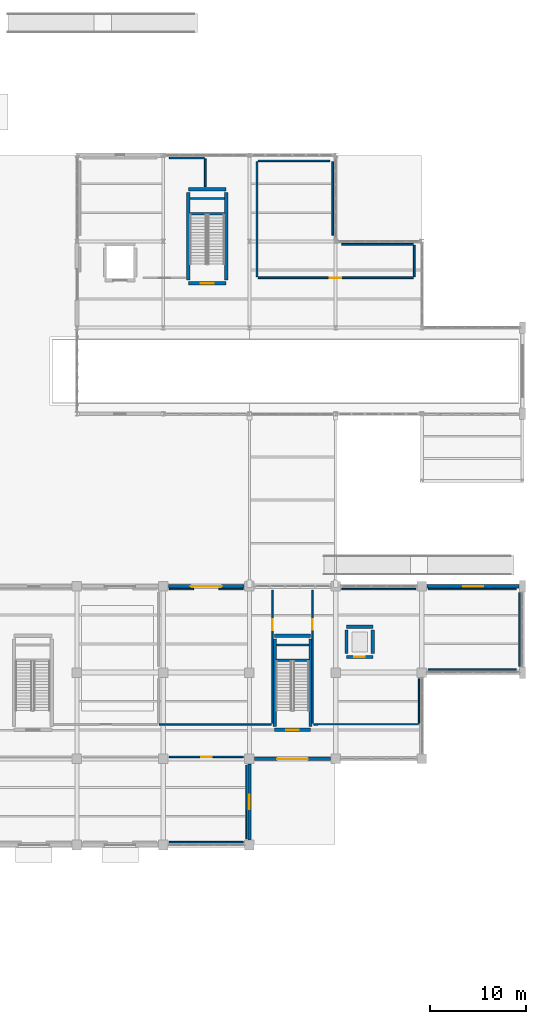
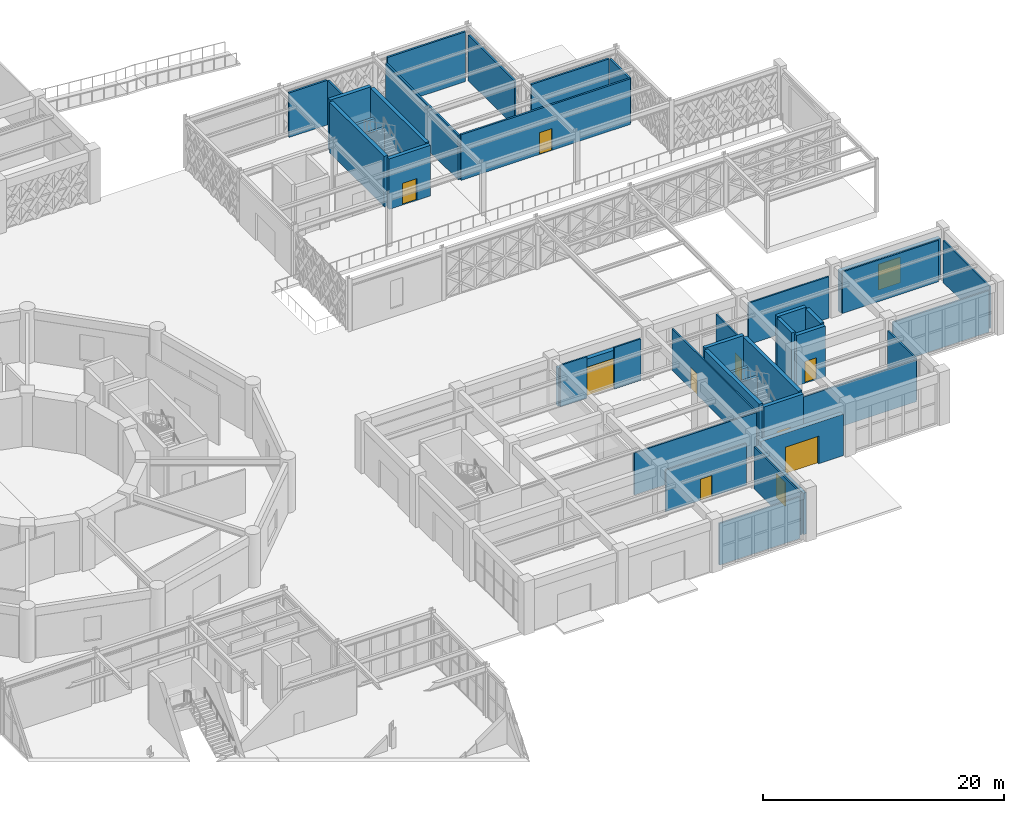
# One storey, part 121 of 140: 42 walls, 9 doors, 2 windows, 11 openings.
"""IFC4 building model written with IfcOpenShell, lengths in metres."""

from ifc_helpers import new_model, si_unit, direction, frame, frame_2d, origin, place, context, subcontext, project, spatial, rectangle, extrude, material, layer, layer_set, type_object, element, fill, save


model = new_model("IFC4")

# Units and contexts
model_context = context("Model", 3, precision=1e-05, world=origin(), true_north=direction((0.0, 1.0)))
body_context = subcontext(model_context, "Body", "Model", "MODEL_VIEW")
ifc_project = project(units=[si_unit("LENGTHUNIT", "METRE"), si_unit("AREAUNIT", "SQUARE_METRE"), si_unit("VOLUMEUNIT", "CUBIC_METRE"), si_unit("PLANEANGLEUNIT", "RADIAN"), si_unit("MASSUNIT", "GRAM", prefix="KILO")], contexts=[model_context])

# Site, building, storey
site_placement = place(None, origin())
site = spatial("IfcSite", under=ifc_project, at=site_placement, CompositionType="ELEMENT")
building_placement = place(site_placement, origin())
building = spatial("IfcBuilding", under=site, at=building_placement, Name="Haizhuo Lancet Aquarium", CompositionType="ELEMENT")
storey_placement = place(building_placement, origin())
storey = spatial("IfcBuildingStorey", under=building, at=storey_placement, Name="L00", CompositionType="ELEMENT", Elevation=0.0)

# Wall, opening, window
ifc_material_1 = material(Name="Shandong Grey Limestone Ashlar", Category="masonry")
ifc_layer_1 = layer(ifc_material_1, 0.280029296875)
ifc_layer_set_1 = layer_set([ifc_layer_1], Name="Shandong Grey Limestone Ashlar")
wall_type_1 = type_object("IfcWallType", Name="EWL-ASH-280", PredefinedType="SOLIDWALL", material=ifc_layer_set_1)
wall_1_placement = place(storey_placement, frame((54.0, -27.544921875, 0.0), z_axis=(0.0, 0.0, 1.0), x_axis=(0.0, -1.0, 0.0)))
wall_1 = element("IfcWall", 1, at=wall_1_placement, inside=storey, type_object=wall_type_1, Name="L00 V3 limestone facade wall 65", PredefinedType="SOLIDWALL", context=body_context, shape_type="SweptSolid", body=[
    extrude(rectangle(XDim=7.91015625, YDim=0.280029296875, at=frame_2d((3.955078125, 0.0))), origin(), (0.0, 0.0, 1.0), 4.205078125),
])
opening_1_placement = place(wall_1_placement, frame((3.205078125, 0.0, 0.89990234375)))
opening_1 = element("IfcOpeningElement", 2, at=opening_1_placement, cuts=wall_1, Name="Opening WN-04", PredefinedType="OPENING", context=body_context, shape_type="SweptSolid", body=[
    extrude(rectangle(XDim=1.5, YDim=2.39990234375, at=frame_2d((0.75, 1.199951171875))), frame((0.0, 0.14990234375, 0.0), z_axis=(0.0, -1.0, 0.0), x_axis=(1.0, 0.0, 0.0)), (0.0, 0.0, 1.0), 0.300029),
])
ifc_material_2 = material(Name="Laminated Low-E Glass", Category="glass")
window_type_1 = type_object("IfcWindowType", Name="WIN-LAN-1500x2400", PartitioningType="SINGLE_PANEL", PredefinedType="WINDOW", material=ifc_material_2)
window_1_placement = place(opening_1_placement, origin())
window_1 = element("IfcWindow", 3, at=window_1_placement, inside=storey, type_object=window_type_1, Name="L00 V3 lancet window 54", OverallHeight=2.39990234375, OverallWidth=1.5, PartitioningType="SINGLE_PANEL", PredefinedType="WINDOW", context=body_context, shape_type="SweptSolid", body=[
    extrude(rectangle(XDim=1.5, YDim=2.39990234375, at=frame_2d((0.75, 1.199951171875))), frame((0.0, 0.030029296875, 0.0), z_axis=(0.0, -1.0, 0.0), x_axis=(1.0, 0.0, 0.0)), (0.0, 0.0, 1.0), 0.06005859375),
])
fill(opening_1, window_1)

ifc_layer_2 = layer(ifc_material_1, 0.360107421875)
ifc_layer_set_2 = layer_set([ifc_layer_2], Name="Shandong Grey Limestone Ashlar")
wall_type_2 = type_object("IfcWallType", Name="EWL-ASH-360", PredefinedType="SOLIDWALL", material=ifc_layer_set_2)
wall_2_placement = place(storey_placement, frame((72.544921875, -9.0, 0.0), z_axis=(0.0, 0.0, 1.0), x_axis=(1.0, 0.0, 0.0)))
wall_2 = element("IfcWall", 4, at=wall_2_placement, inside=storey, type_object=wall_type_2, Name="L00 V3 limestone facade wall 63", PredefinedType="SOLIDWALL", context=body_context, shape_type="SweptSolid", body=[
    extrude(rectangle(XDim=9.610107421875, YDim=0.360107421875, at=frame_2d((4.80517578125, 0.0))), origin(), (0.0, 0.0, 1.0), 4.205078125),
])
opening_2_placement = place(wall_2_placement, frame((3.7548828125, 0.0, 0.89990234375)))
opening_2 = element("IfcOpeningElement", 5, at=opening_2_placement, cuts=wall_2, Name="Opening WN-07", PredefinedType="OPENING", context=body_context, shape_type="SweptSolid", body=[
    extrude(rectangle(XDim=2.10009765625, YDim=2.60009765625, at=frame_2d((1.050048828125, 1.300048828125))), frame((0.0, 0.18994140625, 0.0), z_axis=(0.0, -1.0, 0.0), x_axis=(1.0, 0.0, 0.0)), (0.0, 0.0, 1.0), 0.380107),
])
window_type_2 = type_object("IfcWindowType", Name="WIN-LAN-2100x2600", PartitioningType="SINGLE_PANEL", PredefinedType="WINDOW", material=ifc_material_2)
window_2_placement = place(opening_2_placement, origin())
window_2 = element("IfcWindow", 6, at=window_2_placement, inside=storey, type_object=window_type_2, Name="L00 V3 lancet window 53", OverallHeight=2.60009765625, OverallWidth=2.10009765625, PartitioningType="SINGLE_PANEL", PredefinedType="WINDOW", context=body_context, shape_type="SweptSolid", body=[
    extrude(rectangle(XDim=2.10009765625, YDim=2.60009765625, at=frame_2d((1.050048828125, 1.300048828125))), frame((0.0, 0.030029296875, 0.0), z_axis=(0.0, -1.0, 0.0), x_axis=(1.0, 0.0, 0.0)), (0.0, 0.0, 1.0), 0.06005859375),
])
fill(opening_2, window_2)

# Wall, opening, door
ifc_layer_3 = layer(ifc_material_1, 0.39990234375)
ifc_layer_set_3 = layer_set([ifc_layer_3], Name="Shandong Grey Limestone Ashlar")
wall_type_3 = type_object("IfcWallType", Name="EWL-ASH-400", PredefinedType="SOLIDWALL", material=ifc_layer_set_3)
wall_3_placement = place(storey_placement, frame((45.544921875, -9.0, 0.0), z_axis=(0.0, 0.0, 1.0), x_axis=(1.0, 0.0, 0.0)))
wall_3 = element("IfcWall", 7, at=wall_3_placement, inside=storey, type_object=wall_type_3, Name="L00 V3 pointed-arch limestone entrance portal wall", PredefinedType="SOLIDWALL", context=body_context, shape_type="SweptSolid", body=[
    extrude(rectangle(XDim=7.91015625, YDim=0.39990234375, at=frame_2d((3.955078125, 0.0))), origin(), (0.0, 0.0, 1.0), 3.81494140625),
])
opening_3_placement = place(wall_3_placement, frame((2.35498046875, 0.0, 0.0)))
opening_3 = element("IfcOpeningElement", 8, at=opening_3_placement, cuts=wall_3, Name="Opening ED-A", PredefinedType="OPENING", context=body_context, shape_type="SweptSolid", body=[
    extrude(rectangle(XDim=3.199951171875, YDim=3.0, at=frame_2d((1.60009765625, 1.5))), frame((0.0, 0.2099609375, 0.0), z_axis=(0.0, -1.0, 0.0), x_axis=(1.0, 0.0, 0.0)), (0.0, 0.0, 1.0), 0.419902),
])
ifc_material_3 = material(Name="Aluminium 6063-T6", Category="aluminium")
door_type_1 = type_object("IfcDoorType", Name="EDR-PORTAL-3200x3000", OperationType="NOTDEFINED", PredefinedType="DOOR", material=ifc_material_3)
door_1_placement = place(opening_3_placement, origin())
door_1 = element("IfcDoor", 9, at=door_1_placement, inside=storey, type_object=door_type_1, Name="Ground pedestrian entrance portal ED-09", OperationType="DOUBLE_DOOR_SINGLE_SWING", OverallHeight=3.0, OverallWidth=3.199951171875, PredefinedType="DOOR", context=body_context, shape_type="SweptSolid", body=[
    extrude(rectangle(XDim=3.199951171875, YDim=3.0, at=frame_2d((1.60009765625, 1.5))), frame((0.0, 0.02490234375, 0.0), z_axis=(0.0, -1.0, 0.0), x_axis=(1.0, 0.0, 0.0)), (0.0, 0.0, 1.0), 0.050048828125),
])
fill(opening_3, door_1)

wall_4_placement = place(storey_placement, frame((62.455078125, -27.0, 0.0), z_axis=(0.0, 0.0, 1.0), x_axis=(-1.0, 0.0, 0.0)))
wall_4 = element("IfcWall", 10, at=wall_4_placement, inside=storey, type_object=wall_type_3, Name="L00 V3 pointed-arch limestone entrance portal wall", PredefinedType="SOLIDWALL", context=body_context, shape_type="SweptSolid", body=[
    extrude(rectangle(XDim=7.91015625, YDim=0.39990234375, at=frame_2d((3.955078125, 0.0))), origin(), (0.0, 0.0, 1.0), 4.205078125),
])
opening_4_placement = place(wall_4_placement, frame((2.35498046875, 0.0, 0.0)))
opening_4 = element("IfcOpeningElement", 11, at=opening_4_placement, cuts=wall_4, Name="Opening ED-B", PredefinedType="OPENING", context=body_context, shape_type="SweptSolid", body=[
    extrude(rectangle(XDim=3.199951171875, YDim=2.800048828125, at=frame_2d((1.60009765625, 1.39990234375))), frame((0.0, 0.2099609375, 0.0), z_axis=(0.0, -1.0, 0.0), x_axis=(1.0, 0.0, 0.0)), (0.0, 0.0, 1.0), 0.419902),
])
door_type_2 = type_object("IfcDoorType", Name="EDR-PORTAL-3200x2800", OperationType="NOTDEFINED", PredefinedType="DOOR", material=ifc_material_3)
door_2_placement = place(opening_4_placement, origin())
door_2 = element("IfcDoor", 12, at=door_2_placement, inside=storey, type_object=door_type_2, Name="Ground pedestrian entrance portal ED-10", OperationType="DOUBLE_DOOR_SINGLE_SWING", OverallHeight=2.800048828125, OverallWidth=3.199951171875, PredefinedType="DOOR", context=body_context, shape_type="SweptSolid", body=[
    extrude(rectangle(XDim=3.199951171875, YDim=2.800048828125, at=frame_2d((1.60009765625, 1.39990234375))), frame((0.0, 0.02490234375, 0.0), z_axis=(0.0, -1.0, 0.0), x_axis=(1.0, 0.0, 0.0)), (0.0, 0.0, 1.0), 0.050048828125),
])
fill(opening_4, door_2)

# Walls
ifc_material_4 = material(Name="Concrete C40/50", Category="concrete")
ifc_layer_4 = layer(ifc_material_4, 0.179931640625)
ifc_layer_set_4 = layer_set([ifc_layer_4], Name="Concrete C40/50")
wall_type_4 = type_object("IfcWallType", Name="IWL-LAB-180", PredefinedType="PARTITIONING", material=ifc_layer_set_4)
wall_5_placement = place(storey_placement, frame((62.699951171875, 27.64990234375, 0.0), z_axis=(0.0, 0.0, 1.0), x_axis=(0.0, 1.0, 0.0)))
element("IfcWall", 13, at=wall_5_placement, inside=storey, type_object=wall_type_4, Name="L00 partition wall 193", PredefinedType="PARTITIONING", context=body_context, shape_type="SweptSolid", body=[
    extrude(rectangle(XDim=7.650146484375, YDim=0.179931640625, at=frame_2d((3.8251953125, 0.0))), origin(), (0.0, 0.0, 1.0), 4.616943359375),
])
wall_6_placement = place(storey_placement, frame((62.37109375, 35.39990234375, 0.0), z_axis=(0.0, 0.0, 1.0), x_axis=(-1.0, 0.0, 0.0)))
element("IfcWall", 14, at=wall_6_placement, inside=storey, type_object=wall_type_4, Name="L00 partition wall 194", PredefinedType="PARTITIONING", context=body_context, shape_type="SweptSolid", body=[
    extrude(rectangle(XDim=7.47119140625, YDim=0.179931640625, at=frame_2d((3.735595703125, 0.0))), origin(), (0.0, 0.0, 1.0), 5.050048828125),
])
wall_7_placement = place(storey_placement, frame((54.800048828125, 35.300048828125, 0.0), z_axis=(0.0, 0.0, 1.0), x_axis=(0.0, -1.0, 0.0)))
element("IfcWall", 15, at=wall_7_placement, inside=storey, type_object=wall_type_4, Name="L00 partition wall 195", PredefinedType="PARTITIONING", context=body_context, shape_type="SweptSolid", body=[
    extrude(rectangle(XDim=12.0, YDim=0.179931640625, at=frame_2d((6.0, 0.0))), origin(), (0.0, 0.0, 1.0), 4.51708984375),
])

# Wall, opening, door
wall_8_placement = place(storey_placement, frame((54.89990234375, 23.199951171875, 0.0), z_axis=(0.0, 0.0, 1.0), x_axis=(1.0, 0.0, 0.0)))
wall_8 = element("IfcWall", 16, at=wall_8_placement, inside=storey, type_object=wall_type_4, Name="L00 partition wall 196", PredefinedType="PARTITIONING", context=body_context, shape_type="SweptSolid", body=[
    extrude(rectangle(XDim=16.2001953125, YDim=0.179931640625, at=frame_2d((8.10009765625, 0.0))), origin(), (0.0, 0.0, 1.0), 4.616943359375),
])
opening_5_placement = place(wall_8_placement, frame((7.5, 0.0, 0.0)))
opening_5 = element("IfcOpeningElement", 17, at=opening_5_placement, cuts=wall_8, Name="Opening D-04", PredefinedType="OPENING", context=body_context, shape_type="SweptSolid", body=[
    extrude(rectangle(XDim=1.199951171875, YDim=2.199951171875, at=frame_2d((0.60009765625, 1.10009765625))), frame((0.0, 0.099853515625, 0.0), z_axis=(0.0, -1.0, 0.0), x_axis=(1.0, 0.0, 0.0)), (0.0, 0.0, 1.0), 0.199932),
])
ifc_material_5 = material(Name="Steel S355", Category="steel")
door_type_3 = type_object("IfcDoorType", Name="IDR-LAB-1200x2200", OperationType="NOTDEFINED", PredefinedType="DOOR", material=ifc_material_5)
door_3_placement = place(opening_5_placement, origin())
door_3 = element("IfcDoor", 18, at=door_3_placement, inside=storey, type_object=door_type_3, Name="L00 Primary Life Support Plant door", OperationType="SINGLE_SWING_RIGHT", OverallHeight=2.199951171875, OverallWidth=1.199951171875, PredefinedType="DOOR", context=body_context, shape_type="SweptSolid", body=[
    extrude(rectangle(XDim=1.199951171875, YDim=2.199951171875, at=frame_2d((0.60009765625, 1.10009765625))), frame((0.0, 0.02490234375, 0.0), z_axis=(0.0, -1.0, 0.0), x_axis=(1.0, 0.0, 0.0)), (0.0, 0.0, 1.0), 0.050048828125),
])
fill(opening_5, door_3)

# Walls
wall_9_placement = place(storey_placement, frame((71.199951171875, 23.300048828125, 0.0), z_axis=(0.0, 0.0, 1.0), x_axis=(0.0, 1.0, 0.0)))
element("IfcWall", 19, at=wall_9_placement, inside=storey, type_object=wall_type_4, Name="L00 partition wall 197", PredefinedType="PARTITIONING", context=body_context, shape_type="SweptSolid", body=[
    extrude(rectangle(XDim=3.300048828125, YDim=0.179931640625, at=frame_2d((1.64990234375, 0.0))), origin(), (0.0, 0.0, 1.0), 4.51708984375),
])
wall_10_placement = place(storey_placement, frame((71.10009765625, 26.699951171875, 0.0), z_axis=(0.0, 0.0, 1.0), x_axis=(-1.0, 0.0, 0.0)))
element("IfcWall", 20, at=wall_10_placement, inside=storey, type_object=wall_type_4, Name="L00 partition wall 198", PredefinedType="PARTITIONING", context=body_context, shape_type="SweptSolid", body=[
    extrude(rectangle(XDim=7.4501953125, YDim=0.179931640625, at=frame_2d((3.72509765625, 0.0))), origin(), (0.0, 0.0, 1.0), 4.51708984375),
])
wall_11_placement = place(storey_placement, frame((49.39990234375, 32.699951171875, 0.0), z_axis=(0.0, 0.0, 1.0), x_axis=(0.0, 1.0, 0.0)))
element("IfcWall", 21, at=wall_11_placement, inside=storey, type_object=wall_type_4, Name="L00 partition wall 201", PredefinedType="PARTITIONING", context=body_context, shape_type="SweptSolid", body=[
    extrude(rectangle(XDim=2.900146484375, YDim=0.179931640625, at=frame_2d((1.4501953125, 0.0))), origin(), (0.0, 0.0, 1.0), 4.51708984375),
])
wall_12_placement = place(storey_placement, frame((49.300048828125, 35.699951171875, 0.0), z_axis=(0.0, 0.0, 1.0), x_axis=(-1.0, 0.0, 0.0)))
element("IfcWall", 22, at=wall_12_placement, inside=storey, type_object=wall_type_4, Name="L00 partition wall 202", PredefinedType="PARTITIONING", context=body_context, shape_type="SweptSolid", body=[
    extrude(rectangle(XDim=3.650146484375, YDim=0.179931640625, at=frame_2d((1.8251953125, 0.0))), origin(), (0.0, 0.0, 1.0), 4.51708984375),
])
ifc_material_6 = material(Name="Gypsum Fireboard Partition")
ifc_layer_5 = layer(ifc_material_6, 0.14990234375)
ifc_layer_set_5 = layer_set([ifc_layer_5], Name="Gypsum Fireboard Partition")
wall_type_5 = type_object("IfcWallType", Name="IWL-STD-150", PredefinedType="PARTITIONING", material=ifc_layer_set_5)
wall_13_placement = place(storey_placement, frame((44.60009765625, -23.39990234375, 0.0), z_axis=(0.0, 0.0, 1.0), x_axis=(1.0, 0.0, 0.0)))
element("IfcWall", 23, at=wall_13_placement, inside=storey, type_object=wall_type_5, Name="L00 partition wall 113", PredefinedType="PARTITIONING", context=body_context, shape_type="SweptSolid", body=[
    extrude(rectangle(XDim=11.699951171875, YDim=0.14990234375, at=frame_2d((5.85009765625, 0.0))), origin(), (0.0, 0.0, 1.0), 4.2548828125),
])

# Wall, opening, door
wall_14_placement = place(storey_placement, frame((56.39990234375, -23.300048828125, 0.0), z_axis=(0.0, 0.0, 1.0), x_axis=(0.0, 1.0, 0.0)))
wall_14 = element("IfcWall", 24, at=wall_14_placement, inside=storey, type_object=wall_type_5, Name="L00 partition wall 114", PredefinedType="PARTITIONING", context=body_context, shape_type="SweptSolid", body=[
    extrude(rectangle(XDim=13.900146484375, YDim=0.14990234375, at=frame_2d((6.9501953125, 0.0))), origin(), (0.0, 0.0, 1.0), 4.205078125),
])
opening_6_placement = place(wall_14_placement, frame((9.736083984375, 0.0, 0.0)))
opening_6 = element("IfcOpeningElement", 25, at=opening_6_placement, cuts=wall_14, Name="Opening D-05", PredefinedType="OPENING", context=body_context, shape_type="SweptSolid", body=[
    extrude(rectangle(XDim=1.10009765625, YDim=2.14990234375, at=frame_2d((0.550048828125, 1.074951171875))), frame((0.0, 0.0849609375, 0.0), z_axis=(0.0, -1.0, 0.0), x_axis=(1.0, 0.0, 0.0)), (0.0, 0.0, 1.0), 0.169902),
])
door_type_4 = type_object("IfcDoorType", Name="IDR-CLS-1100x2150", OperationType="NOTDEFINED", PredefinedType="DOOR", material=ifc_material_3)
door_4_placement = place(opening_6_placement, origin())
door_4 = element("IfcDoor", 26, at=door_4_placement, inside=storey, type_object=door_type_4, Name="L00 Education Centre Classroom door", OperationType="SINGLE_SWING_LEFT", OverallHeight=2.14990234375, OverallWidth=1.10009765625, PredefinedType="DOOR", context=body_context, shape_type="SweptSolid", body=[
    extrude(rectangle(XDim=1.10009765625, YDim=2.14990234375, at=frame_2d((0.550048828125, 1.074951171875))), frame((0.0, 0.02490234375, 0.0), z_axis=(0.0, -1.0, 0.0), x_axis=(1.0, 0.0, 0.0)), (0.0, 0.0, 1.0), 0.050048828125),
])
fill(opening_6, door_4)

# Walls
for number, where, z_axis, x_axis, name in (
    (27, (53.35009765625, -9.300048828125, 0.0), (0.0, 0.0, 1.0), (-1.0, 0.0, 0.0), "L00 partition wall 115"),
    (28, (48.18505859375, -9.300048828125, 0.0), (0.0, 0.0, 1.0), (-1.0, 0.0, 0.0), "L00 partition wall 116"),
):
    element("IfcWall", number, at=place(storey_placement, frame(where, z_axis=z_axis, x_axis=x_axis)), inside=storey, type_object=wall_type_5, Name=name, PredefinedType="PARTITIONING", context=body_context, shape_type="SweptSolid", body=[
        extrude(rectangle(XDim=2.53515625, YDim=0.14990234375, at=frame_2d((1.267578125, 0.0))), origin(), (0.0, 0.0, 1.0), 4.205078125),
    ])
wall_15_placement = place(storey_placement, frame((45.64990234375, -35.699951171875, 0.0), z_axis=(0.0, 0.0, 1.0), x_axis=(1.0, 0.0, 0.0)))
element("IfcWall", 29, at=wall_15_placement, inside=storey, type_object=wall_type_5, Name="L00 partition wall 122", PredefinedType="PARTITIONING", context=body_context, shape_type="SweptSolid", body=[
    extrude(rectangle(XDim=7.7001953125, YDim=0.14990234375, at=frame_2d((3.85009765625, 0.0))), origin(), (0.0, 0.0, 1.0), 4.205078125),
])
wall_16_placement = place(storey_placement, frame((53.696044921875, -35.360107421875, 0.0), z_axis=(0.0, 0.0, 1.0), x_axis=(0.00050663367, 0.999999871661, 0.0)))
element("IfcWall", 30, at=wall_16_placement, inside=storey, type_object=wall_type_5, Name="L00 partition wall 123", PredefinedType="PARTITIONING", context=body_context, shape_type="SweptSolid", body=[
    extrude(rectangle(XDim=7.710205078125, YDim=0.14990234375, at=frame_2d((3.85498046875, 0.0))), origin(), (0.0, 0.0, 1.0), 4.2548828125),
])

# Wall, opening, door
wall_17_placement = place(storey_placement, frame((53.360107421875, -26.803955078125, 0.0), z_axis=(0.0, 0.0, 1.0), x_axis=(-0.999999871994, 0.000505976787, 0.0)))
wall_17 = element("IfcWall", 31, at=wall_17_placement, inside=storey, type_object=wall_type_5, Name="L00 partition wall 124", PredefinedType="PARTITIONING", context=body_context, shape_type="SweptSolid", body=[
    extrude(rectangle(XDim=7.72021484375, YDim=0.14990234375, at=frame_2d((3.860107421875, 0.0))), origin(), (0.0, 0.0, 1.0), 4.205078125),
])
opening_7_placement = place(wall_17_placement, frame((3.31005859375, 0.0, 0.0)))
opening_7 = element("IfcOpeningElement", 32, at=opening_7_placement, cuts=wall_17, Name="Opening D-05", PredefinedType="OPENING", context=body_context, shape_type="SweptSolid", body=[
    extrude(rectangle(XDim=1.10009765625, YDim=2.14990234375, at=frame_2d((0.550048828125, 1.074951171875))), frame((0.0, 0.0849609375, 0.0), z_axis=(0.0, -1.0, 0.0), x_axis=(1.0, 0.0, 0.0)), (0.0, 0.0, 1.0), 0.169902),
])
door_5_placement = place(opening_7_placement, origin())
door_5 = element("IfcDoor", 33, at=door_5_placement, inside=storey, type_object=door_type_4, Name="L00 Wet Discovery Teaching Studio door", OperationType="SINGLE_SWING_RIGHT", OverallHeight=2.14990234375, OverallWidth=1.10009765625, PredefinedType="DOOR", context=body_context, shape_type="SweptSolid", body=[
    extrude(rectangle(XDim=1.10009765625, YDim=2.14990234375, at=frame_2d((0.550048828125, 1.074951171875))), frame((0.0, 0.02490234375, 0.0), z_axis=(0.0, -1.0, 0.0), x_axis=(1.0, 0.0, 0.0)), (0.0, 0.0, 1.0), 0.050048828125),
])
fill(opening_7, door_5)

wall_18_placement = place(storey_placement, frame((60.60009765625, -9.389892578125, 0.0), z_axis=(0.0, 0.0, 1.0), x_axis=(0.0, -1.0, 0.0)))
wall_18 = element("IfcWall", 34, at=wall_18_placement, inside=storey, type_object=wall_type_5, Name="L00 partition wall 127", PredefinedType="PARTITIONING", context=body_context, shape_type="SweptSolid", body=[
    extrude(rectangle(XDim=13.91015625, YDim=0.14990234375, at=frame_2d((6.955078125, 0.0))), origin(), (0.0, 0.0, 1.0), 4.205078125),
])
opening_8_placement = place(wall_18_placement, frame((3.06689453125, 0.0, 0.0)))
opening_8 = element("IfcOpeningElement", 35, at=opening_8_placement, cuts=wall_18, Name="Opening D-05", PredefinedType="OPENING", context=body_context, shape_type="SweptSolid", body=[
    extrude(rectangle(XDim=1.10009765625, YDim=2.14990234375, at=frame_2d((0.550048828125, 1.074951171875))), frame((0.0, 0.0849609375, 0.0), z_axis=(0.0, -1.0, 0.0), x_axis=(1.0, 0.0, 0.0)), (0.0, 0.0, 1.0), 0.169902),
])
door_6_placement = place(opening_8_placement, origin())
door_6 = element("IfcDoor", 36, at=door_6_placement, inside=storey, type_object=door_type_4, Name="L00 Marine Seminar Classroom door", OperationType="SINGLE_SWING_LEFT", OverallHeight=2.14990234375, OverallWidth=1.10009765625, PredefinedType="DOOR", context=body_context, shape_type="SweptSolid", body=[
    extrude(rectangle(XDim=1.10009765625, YDim=2.14990234375, at=frame_2d((0.550048828125, 1.074951171875))), frame((0.0, 0.02490234375, 0.0), z_axis=(0.0, -1.0, 0.0), x_axis=(1.0, 0.0, 0.0)), (0.0, 0.0, 1.0), 0.050048828125),
])
fill(opening_8, door_6)

# Walls
wall_19_placement = place(storey_placement, frame((60.699951171875, -23.39990234375, 0.0), z_axis=(0.0, 0.0, 1.0), x_axis=(0.999999936125, 0.00035742207, 0.0)))
element("IfcWall", 37, at=wall_19_placement, inside=storey, type_object=wall_type_5, Name="L00 partition wall 128", PredefinedType="PARTITIONING", context=body_context, shape_type="SweptSolid", body=[
    extrude(rectangle(XDim=10.928955078125, YDim=0.14990234375, at=frame_2d((5.46435546875, 0.0))), origin(), (0.0, 0.0, 1.0), 4.2548828125),
])
wall_20_placement = place(storey_placement, frame((71.699951171875, -23.300048828125, 0.0), z_axis=(0.0, 0.0, 1.0), x_axis=(0.0, 1.0, 0.0)))
element("IfcWall", 38, at=wall_20_placement, inside=storey, type_object=wall_type_5, Name="L00 partition wall 129", PredefinedType="PARTITIONING", context=body_context, shape_type="SweptSolid", body=[
    extrude(rectangle(XDim=4.650146484375, YDim=0.14990234375, at=frame_2d((2.3251953125, 0.0))), origin(), (0.0, 0.0, 1.0), 4.2548828125),
])
wall_21_placement = place(storey_placement, frame((72.64990234375, -17.699951171875, 0.0), z_axis=(0.0, 0.0, 1.0), x_axis=(1.0, 0.0, 0.0)))
element("IfcWall", 39, at=wall_21_placement, inside=storey, type_object=wall_type_5, Name="L00 partition wall 130", PredefinedType="PARTITIONING", context=body_context, shape_type="SweptSolid", body=[
    extrude(rectangle(XDim=9.2001953125, YDim=0.14990234375, at=frame_2d((4.60009765625, 0.0))), origin(), (0.0, 0.0, 1.0), 4.205078125),
])
wall_22_placement = place(storey_placement, frame((82.199951171875, -17.35009765625, 0.0), z_axis=(0.0, 0.0, 1.0), x_axis=(0.0, 1.0, 0.0)))
element("IfcWall", 40, at=wall_22_placement, inside=storey, type_object=wall_type_5, Name="L00 partition wall 131", PredefinedType="PARTITIONING", context=body_context, shape_type="SweptSolid", body=[
    extrude(rectangle(XDim=7.7001953125, YDim=0.14990234375, at=frame_2d((3.85009765625, 0.0))), origin(), (0.0, 0.0, 1.0), 4.2548828125),
])
wall_23_placement = place(storey_placement, frame((81.85009765625, -9.300048828125, 0.0), z_axis=(0.0, 0.0, 1.0), x_axis=(-1.0, 0.0, 0.0)))
element("IfcWall", 41, at=wall_23_placement, inside=storey, type_object=wall_type_5, Name="L00 partition wall 132", PredefinedType="PARTITIONING", context=body_context, shape_type="SweptSolid", body=[
    extrude(rectangle(XDim=9.2001953125, YDim=0.14990234375, at=frame_2d((4.60009765625, 0.0))), origin(), (0.0, 0.0, 1.0), 4.205078125),
])
wall_24_placement = place(storey_placement, frame((71.35009765625, -9.300048828125, 0.0), z_axis=(0.0, 0.0, 1.0), x_axis=(-1.0, 0.0, 0.0)))
element("IfcWall", 42, at=wall_24_placement, inside=storey, type_object=wall_type_5, Name="L00 partition wall 133", PredefinedType="PARTITIONING", context=body_context, shape_type="SweptSolid", body=[
    extrude(rectangle(XDim=7.7001953125, YDim=0.14990234375, at=frame_2d((3.85009765625, 0.0))), origin(), (0.0, 0.0, 1.0), 4.205078125),
])
ifc_layer_6 = layer(ifc_material_4, 0.35009765625)
ifc_layer_set_6 = layer_set([ifc_layer_6], Name="Concrete C40/50")
wall_type_6 = type_object("IfcWallType", Name="WL-CORE-350", PredefinedType="SHEAR", material=ifc_layer_set_6)
for number, where, z_axis, x_axis, name in (
    (43, (56.800048828125, -16.72509765625, 0.0), (0.0, 0.0, 1.0), (1.0, 0.0, 0.0), "L00 ST-05 landing support wall"),
    (44, (56.800048828125, -15.125, 0.0), (0.0, 0.0, 1.0), (1.0, 0.0, 0.0), "L00 ST-05 far landing support wall"),
):
    element("IfcWall", number, at=place(storey_placement, frame(where, z_axis=z_axis, x_axis=x_axis)), inside=storey, type_object=wall_type_6, Name=name, PredefinedType="SHEAR", context=body_context, shape_type="SweptSolid", body=[
        extrude(rectangle(XDim=3.39990234375, YDim=0.25, at=frame_2d((1.699951171875, 0.0))), origin(), (0.0, 0.0, 1.0), 2.5),
    ])

# Wall, opening, door
wall_25_placement = place(storey_placement, frame((60.375, -23.97509765625, 0.0), z_axis=(0.0, 0.0, 1.0), x_axis=(-1.0, 0.0, 0.0)))
wall_25 = element("IfcWall", 45, at=wall_25_placement, inside=storey, type_object=wall_type_6, Name="L00 ST-05 core shear wall S", PredefinedType="SHEAR", context=body_context, shape_type="SweptSolid", body=[
    extrude(rectangle(XDim=3.75, YDim=0.35009765625, at=frame_2d((1.875, 0.0))), origin(), (0.0, 0.0, 1.0), 5.1201171875),
])
opening_9_placement = place(wall_25_placement, frame((1.22509765625, 0.0, 0.0)))
opening_9 = element("IfcOpeningElement", 46, at=opening_9_placement, cuts=wall_25, Name="Opening FD-02", PredefinedType="OPENING", context=body_context, shape_type="SweptSolid", body=[
    extrude(rectangle(XDim=1.300048828125, YDim=2.199951171875, at=frame_2d((0.64990234375, 1.10009765625))), frame((0.0, 0.18505859375, 0.0), z_axis=(0.0, -1.0, 0.0), x_axis=(1.0, 0.0, 0.0)), (0.0, 0.0, 1.0), 0.370098),
])
door_type_5 = type_object("IfcDoorType", Name="IDR-STAIR-1300x2200", OperationType="NOTDEFINED", PredefinedType="DOOR", material=ifc_material_5)
door_7_placement = place(opening_9_placement, origin())
door_7 = element("IfcDoor", 47, at=door_7_placement, inside=storey, type_object=door_type_5, Name="L00 ST-05 stairwell fire door", OperationType="SINGLE_SWING_RIGHT", OverallHeight=2.199951171875, OverallWidth=1.300048828125, PredefinedType="DOOR", context=body_context, shape_type="SweptSolid", body=[
    extrude(rectangle(XDim=1.300048828125, YDim=2.199951171875, at=frame_2d((0.64990234375, 1.10009765625))), frame((0.0, 0.02490234375, 0.0), z_axis=(0.0, -1.0, 0.0), x_axis=(1.0, 0.0, 0.0)), (0.0, 0.0, 1.0), 0.050048828125),
])
fill(opening_9, door_7)

# Walls
wall_26_placement = place(storey_placement, frame((56.625, -14.175048828125, 0.0), z_axis=(0.0, 0.0, 1.0), x_axis=(1.0, 0.0, 0.0)))
element("IfcWall", 48, at=wall_26_placement, inside=storey, type_object=wall_type_6, Name="L00 ST-05 core shear wall N", PredefinedType="SHEAR", context=body_context, shape_type="SweptSolid", body=[
    extrude(rectangle(XDim=3.75, YDim=0.35009765625, at=frame_2d((1.875, 0.0))), origin(), (0.0, 0.0, 1.0), 5.1201171875),
])
for number, where, z_axis, x_axis, name in (
    (49, (56.625, -23.625, 0.0), (0.0, 0.0, 1.0), (0.0, 1.0, 0.0), "L00 ST-05 core shear wall W"),
    (50, (60.375, -23.625, 0.0), (0.0, 0.0, 1.0), (0.0, 1.0, 0.0), "L00 ST-05 core shear wall E"),
):
    element("IfcWall", number, at=place(storey_placement, frame(where, z_axis=z_axis, x_axis=x_axis)), inside=storey, type_object=wall_type_6, Name=name, PredefinedType="SHEAR", context=body_context, shape_type="SweptSolid", body=[
        extrude(rectangle(XDim=9.10009765625, YDim=0.35009765625, at=frame_2d((4.550048828125, 0.0))), origin(), (0.0, 0.0, 1.0), 5.1201171875),
    ])
for number, where, z_axis, x_axis, name in (
    (51, (47.800048828125, 29.875, 0.0), (0.0, 0.0, 1.0), (1.0, 0.0, 0.0), "L00 ST-10 landing support wall"),
    (52, (47.800048828125, 31.47509765625, 0.0), (0.0, 0.0, 1.0), (1.0, 0.0, 0.0), "L00 ST-10 far landing support wall"),
):
    element("IfcWall", number, at=place(storey_placement, frame(where, z_axis=z_axis, x_axis=x_axis)), inside=storey, type_object=wall_type_6, Name=name, PredefinedType="SHEAR", context=body_context, shape_type="SweptSolid", body=[
        extrude(rectangle(XDim=3.599853515625, YDim=0.25, at=frame_2d((1.7998046875, 0.0))), origin(), (0.0, 0.0, 1.0), 2.5),
    ])

# Wall, opening, door
wall_27_placement = place(storey_placement, frame((51.574951171875, 22.625, 0.0), z_axis=(0.0, 0.0, 1.0), x_axis=(-1.0, 0.0, 0.0)))
wall_27 = element("IfcWall", 53, at=wall_27_placement, inside=storey, type_object=wall_type_6, Name="L00 ST-10 core shear wall S", PredefinedType="SHEAR", context=body_context, shape_type="SweptSolid", body=[
    extrude(rectangle(XDim=3.949951171875, YDim=0.35009765625, at=frame_2d((1.97509765625, 0.0))), origin(), (0.0, 0.0, 1.0), 5.1201171875),
])
opening_10_placement = place(wall_27_placement, frame((1.27490234375, 0.0, 0.0)))
opening_10 = element("IfcOpeningElement", 54, at=opening_10_placement, cuts=wall_27, Name="Opening FD-01", PredefinedType="OPENING", context=body_context, shape_type="SweptSolid", body=[
    extrude(rectangle(XDim=1.39990234375, YDim=2.199951171875, at=frame_2d((0.699951171875, 1.10009765625))), frame((0.0, 0.18505859375, 0.0), z_axis=(0.0, -1.0, 0.0), x_axis=(1.0, 0.0, 0.0)), (0.0, 0.0, 1.0), 0.370098),
])
door_type_6 = type_object("IfcDoorType", Name="IDR-STAIR-1400x2200", OperationType="NOTDEFINED", PredefinedType="DOOR", material=ifc_material_5)
door_8_placement = place(opening_10_placement, origin())
door_8 = element("IfcDoor", 55, at=door_8_placement, inside=storey, type_object=door_type_6, Name="L00 ST-10 stairwell fire door", OperationType="SINGLE_SWING_LEFT", OverallHeight=2.199951171875, OverallWidth=1.39990234375, PredefinedType="DOOR", context=body_context, shape_type="SweptSolid", body=[
    extrude(rectangle(XDim=1.39990234375, YDim=2.199951171875, at=frame_2d((0.699951171875, 1.10009765625))), frame((0.0, 0.02490234375, 0.0), z_axis=(0.0, -1.0, 0.0), x_axis=(1.0, 0.0, 0.0)), (0.0, 0.0, 1.0), 0.050048828125),
])
fill(opening_10, door_8)

# Walls
wall_28_placement = place(storey_placement, frame((47.625, 32.425048828125, 0.0), z_axis=(0.0, 0.0, 1.0), x_axis=(1.0, 0.0, 0.0)))
element("IfcWall", 56, at=wall_28_placement, inside=storey, type_object=wall_type_6, Name="L00 ST-10 core shear wall N", PredefinedType="SHEAR", context=body_context, shape_type="SweptSolid", body=[
    extrude(rectangle(XDim=3.949951171875, YDim=0.35009765625, at=frame_2d((1.97509765625, 0.0))), origin(), (0.0, 0.0, 1.0), 5.1201171875),
])
for number, where, z_axis, x_axis, name in (
    (57, (47.625, 22.97509765625, 0.0), (0.0, 0.0, 1.0), (0.0, 1.0, 0.0), "L00 ST-10 core shear wall W"),
    (58, (51.574951171875, 22.97509765625, 0.0), (0.0, 0.0, 1.0), (0.0, 1.0, 0.0), "L00 ST-10 core shear wall E"),
):
    element("IfcWall", number, at=place(storey_placement, frame(where, z_axis=z_axis, x_axis=x_axis)), inside=storey, type_object=wall_type_6, Name=name, PredefinedType="SHEAR", context=body_context, shape_type="SweptSolid", body=[
        extrude(rectangle(XDim=9.099853515625, YDim=0.35009765625, at=frame_2d((4.5498046875, 0.0))), origin(), (0.0, 0.0, 1.0), 5.1201171875),
    ])

# Wall, opening, door
wall_29_placement = place(storey_placement, frame((64.125, -16.375, 0.0), z_axis=(0.0, 0.0, 1.0), x_axis=(1.0, 0.0, 0.0)))
wall_29 = element("IfcWall", 59, at=wall_29_placement, inside=storey, type_object=wall_type_6, Name="L00 LP-02 lift shaft wall -Y", PredefinedType="SHEAR", context=body_context, shape_type="SweptSolid", body=[
    extrude(rectangle(XDim=2.75, YDim=0.35009765625, at=frame_2d((1.375, 0.0))), origin(), (0.0, 0.0, 1.0), 5.1201171875),
])
opening_11_placement = place(wall_29_placement, frame((0.824951171875, 0.0, 0.0)))
opening_11 = element("IfcOpeningElement", 60, at=opening_11_placement, cuts=wall_29, Name="Opening LD-01", PredefinedType="OPENING", context=body_context, shape_type="SweptSolid", body=[
    extrude(rectangle(XDim=1.10009765625, YDim=2.199951171875, at=frame_2d((0.550048828125, 1.10009765625))), frame((0.0, 0.18505859375, 0.0), z_axis=(0.0, -1.0, 0.0), x_axis=(1.0, 0.0, 0.0)), (0.0, 0.0, 1.0), 0.370098),
])
door_type_7 = type_object("IfcDoorType", Name="IDR-LIFT-1100x2200", OperationType="NOTDEFINED", PredefinedType="DOOR", material=ifc_material_5)
door_9_placement = place(opening_11_placement, origin())
door_9 = element("IfcDoor", 61, at=door_9_placement, inside=storey, type_object=door_type_7, Name="L00 LP-02 sliding lift landing door", OperationType="DOUBLE_DOOR_SLIDING", OverallHeight=2.199951171875, OverallWidth=1.10009765625, PredefinedType="DOOR", context=body_context, shape_type="SweptSolid", body=[
    extrude(rectangle(XDim=1.10009765625, YDim=2.199951171875, at=frame_2d((0.550048828125, 1.10009765625))), frame((0.0, 0.02490234375, 0.0), z_axis=(0.0, -1.0, 0.0), x_axis=(1.0, 0.0, 0.0)), (0.0, 0.0, 1.0), 0.050048828125),
])
fill(opening_11, door_9)

# Walls
wall_30_placement = place(storey_placement, frame((66.875, -13.22509765625, 0.0), z_axis=(0.0, 0.0, 1.0), x_axis=(-1.0, 0.0, 0.0)))
element("IfcWall", 62, at=wall_30_placement, inside=storey, type_object=wall_type_6, Name="L00 LP-02 lift shaft wall +Y", PredefinedType="SHEAR", context=body_context, shape_type="SweptSolid", body=[
    extrude(rectangle(XDim=2.75, YDim=0.35009765625, at=frame_2d((1.375, 0.0))), origin(), (0.0, 0.0, 1.0), 5.1201171875),
])
for number, where, z_axis, x_axis, name in (
    (63, (64.125, -16.02490234375, 0.0), (0.0, 0.0, 1.0), (0.0, 1.0, 0.0), "L00 LP-02 lift shaft wall -X"),
    (64, (66.875, -16.02490234375, 0.0), (0.0, 0.0, 1.0), (0.0, 1.0, 0.0), "L00 LP-02 lift shaft wall +X"),
):
    element("IfcWall", number, at=place(storey_placement, frame(where, z_axis=z_axis, x_axis=x_axis)), inside=storey, type_object=wall_type_6, Name=name, PredefinedType="SHEAR", context=body_context, shape_type="SweptSolid", body=[
        extrude(rectangle(XDim=2.449951171875, YDim=0.35009765625, at=frame_2d((1.22509765625, 0.0))), origin(), (0.0, 0.0, 1.0), 5.1201171875),
    ])

save(model, "model.ifc")
